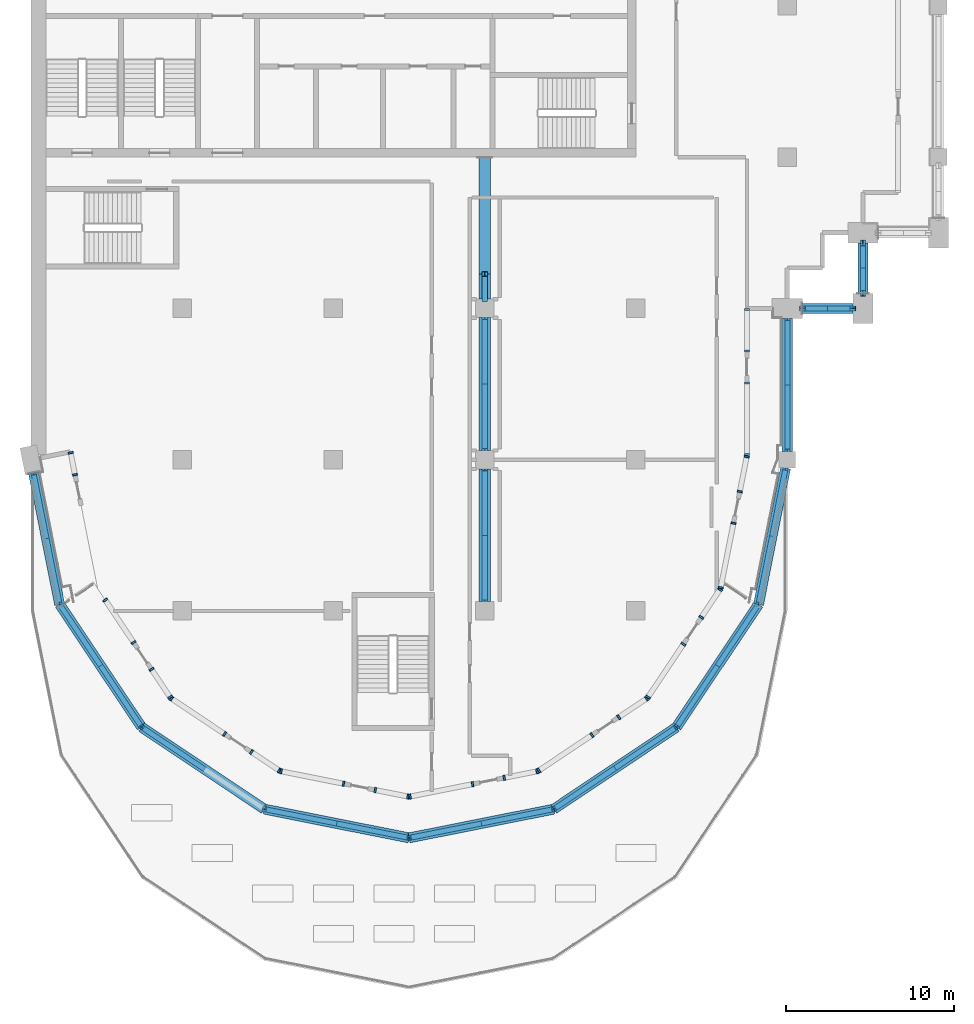
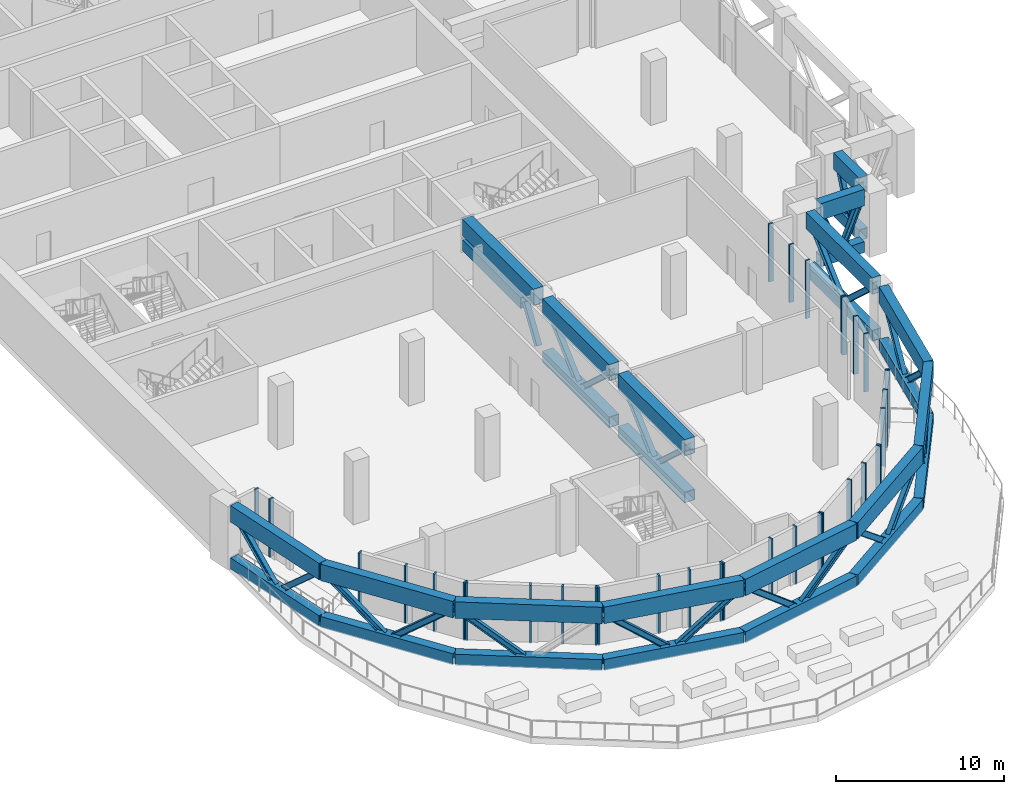
# One storey, part 2 of 16: 88 members.
"""IFC4 building model written with IfcOpenShell, lengths in metres."""

from ifc_helpers import new_model, si_unit, direction, frame, origin, origin_2d, place, context, subcontext, project, spatial, rectangle, hollow_rectangle, i_section, extrude, material, material_profile, profile_set, type_object, element, save


model = new_model("IFC4")

# Units and contexts
model_context = context("Model", 3, precision=1e-05, world=origin(), true_north=direction((0.0, 1.0)))
body_context = subcontext(model_context, "Body", "Model", "MODEL_VIEW")
ifc_project = project(units=[si_unit("LENGTHUNIT", "METRE"), si_unit("AREAUNIT", "SQUARE_METRE"), si_unit("VOLUMEUNIT", "CUBIC_METRE"), si_unit("PLANEANGLEUNIT", "RADIAN"), si_unit("MASSUNIT", "GRAM", prefix="KILO")], contexts=[model_context])

# Site, building, storey
site_placement = place(None, origin())
site = spatial("IfcSite", under=ifc_project, at=site_placement, CompositionType="ELEMENT")
building_placement = place(site_placement, origin())
building = spatial("IfcBuilding", under=site, at=building_placement, Name="Hunhe Ridgeline Campus", CompositionType="ELEMENT")
storey_placement = place(building_placement, frame((0.0, 0.0, 227.199951171875)))
storey = spatial("IfcBuildingStorey", under=building, at=storey_placement, Name="L58", CompositionType="ELEMENT", Elevation=227.199951171875)

# Members
ifc_material_1 = material(Name="Steel Q420", Category="steel")
ifc_material_profile_1 = material_profile(ifc_material_1, hollow_rectangle(XDim=0.60009765625, YDim=0.800048828125, WallThickness=0.031982421875, at=origin_2d()))
ifc_profile_set_1 = profile_set([ifc_material_profile_1], Name="Steel Q420")
member_type_1 = type_object("IfcMemberType", Name="Belt truss bottom chord Box 800x600x32 Steel Q420", PredefinedType="CHORD", material=ifc_profile_set_1)
member_1_placement = place(storey_placement, frame((0.156005859375, 44.21533203125, 0.400146484375), z_axis=(0.19509217561, -0.980784911699, 0.0), x_axis=(0.980784911699, 0.19509217561, 0.0)))
element("IfcMember", 1, at=member_1_placement, inside=storey, type_object=member_type_1, Name="Belt truss BT1 bottom chord L58 2", PredefinedType="CHORD", context=body_context, shape_type="SweptSolid", body=[
    extrude(hollow_rectangle(XDim=0.60009765625, YDim=0.800048828125, WallThickness=0.031982421875, at=origin_2d()), origin(), (0.0, 0.0, 1.0), 7.97900390625),
])
for number, where, z_axis, x_axis, name in (
    (2, (1.712646484375, 36.3896484375, 0.400146484375), (0.555572672849, -0.831467982056, 0.0), (0.831467982056, 0.555572672849, 0.0), "Belt truss BT1 bottom chord L58 6"),
    (3, (6.590087890625, 29.090087890625, 0.400146484375), (0.831467982056, -0.555572672849, 0.0), (0.555572672849, 0.831467982056, 0.0), "Belt truss BT1 bottom chord L58 10"),
    (4, (13.8896484375, 24.212646484375, 0.400146484375), (0.980786564756, -0.195083865027, 0.0), (0.195083865027, 0.980786564756, 0.0), "Belt truss BT1 bottom chord L58 14"),
    (5, (22.5, 22.5, 0.400146484375), (0.980786564756, 0.195083865027, 0.0), (-0.195083865027, 0.980786564756, 0.0), "Belt truss BT1 bottom chord L58 18"),
    (6, (31.1103515625, 24.212646484375, 0.400146484375), (0.831467982056, 0.555572672849, 0.0), (-0.555572672849, 0.831467982056, 0.0), "Belt truss BT1 bottom chord L58 22"),
    (7, (38.409912109375, 29.090087890625, 0.400146484375), (0.555572672849, 0.831467982056, 0.0), (-0.831467982056, 0.555572672849, 0.0), "Belt truss BT1 bottom chord L58 26"),
):
    element("IfcMember", number, at=place(storey_placement, frame(where, z_axis=z_axis, x_axis=x_axis)), inside=storey, type_object=member_type_1, Name=name, PredefinedType="CHORD", context=body_context, shape_type="SweptSolid", body=[
        extrude(hollow_rectangle(XDim=0.60009765625, YDim=0.800048828125, WallThickness=0.031982421875, at=origin_2d()), origin(), (0.0, 0.0, 1.0), 8.779052734375),
    ])
member_2_placement = place(storey_placement, frame((43.287353515625, 36.3896484375, 0.400146484375), z_axis=(0.195094046865, 0.980784539477, 0.0), x_axis=(-0.980784539477, 0.195094046865, 0.0)))
element("IfcMember", 8, at=member_2_placement, inside=storey, type_object=member_type_1, Name="Belt truss BT1 bottom chord L58 30", PredefinedType="CHORD", context=body_context, shape_type="SweptSolid", body=[
    extrude(hollow_rectangle(XDim=0.60009765625, YDim=0.800048828125, WallThickness=0.031982421875, at=origin_2d()), origin(), (0.0, 0.0, 1.0), 8.269287109375),
])
member_3_placement = place(storey_placement, frame((45.0, 45.5, 0.400146484375), z_axis=(0.0, 1.0, 0.0), x_axis=(-1.0, 0.0, 0.0)))
element("IfcMember", 9, at=member_3_placement, inside=storey, type_object=member_type_1, Name="Belt truss BT1 bottom chord L58 34", PredefinedType="CHORD", context=body_context, shape_type="SweptSolid", body=[
    extrude(hollow_rectangle(XDim=0.60009765625, YDim=0.800048828125, WallThickness=0.031982421875, at=origin_2d()), origin(), (0.0, 0.0, 1.0), 7.89990234375),
])
for number, where, z_axis, x_axis, name in (
    (10, (45.89990234375, 54.0, 0.400146484375), (1.0, 0.0, 0.0), (0.0, 1.0, 0.0), "Belt truss BT1 bottom chord L58 38"),
    (11, (49.5, 54.89990234375, 0.400146484375), (0.0, 1.0, 0.0), (-1.0, 0.0, 0.0), "Belt truss BT1 bottom chord L58 42"),
):
    element("IfcMember", number, at=place(storey_placement, frame(where, z_axis=z_axis, x_axis=x_axis)), inside=storey, type_object=member_type_1, Name=name, PredefinedType="CHORD", context=body_context, shape_type="SweptSolid", body=[
        extrude(hollow_rectangle(XDim=0.60009765625, YDim=0.800048828125, WallThickness=0.031982421875, at=origin_2d()), origin(), (0.0, 0.0, 1.0), 3.0),
    ])
ifc_material_profile_2 = material_profile(ifc_material_1, i_section(OverallWidth=0.300048828125, OverallDepth=0.389892578125, WebThickness=0.010009765625, FlangeThickness=0.01611328125, FilletRadius=0.012939453125, at=origin_2d()))
ifc_profile_set_2 = profile_set([ifc_material_profile_2], Name="Steel Q420")
member_type_2 = type_object("IfcMemberType", Name="Belt truss diagonal HM390x300x10x16 Steel Q420", PredefinedType="BRACE", material=ifc_profile_set_2)
for number, where, z_axis, x_axis, name in (
    (12, (0.156005859375, 44.21533203125, 4.0), (0.144842804881, -0.728166760926, -0.669920689453), (0.980784911699, 0.19509217561, 0.0), "Belt truss BT1 diagonal L58 3"),
    (13, (0.934326171875, 40.302490234375, 0.400146484375), (0.144842804881, -0.728166760926, 0.669920689453), (0.980784911699, 0.19509217561, 0.0), "Belt truss BT1 diagonal L58 4"),
):
    element("IfcMember", number, at=place(storey_placement, frame(where, z_axis=z_axis, x_axis=x_axis)), inside=storey, type_object=member_type_2, Name=name, PredefinedType="BRACE", context=body_context, shape_type="SweptSolid", body=[
        extrude(i_section(OverallWidth=0.300048828125, OverallDepth=0.389892578125, WebThickness=0.010009765625, FlangeThickness=0.01611328125, FilletRadius=0.012939453125, at=origin_2d()), origin(), (0.0, 0.0, 1.0), 5.37353515625),
    ])
member_4_placement = place(storey_placement, frame((1.712646484375, 36.3896484375, 4.0), z_axis=(0.429580712233, -0.642930388216, -0.634114285903), x_axis=(0.831476565381, 0.555559826862, 0.0)))
element("IfcMember", 14, at=member_4_placement, inside=storey, type_object=member_type_2, Name="Belt truss BT1 diagonal L58 7", PredefinedType="BRACE", context=body_context, shape_type="SweptSolid", body=[
    extrude(i_section(OverallWidth=0.300048828125, OverallDepth=0.389892578125, WebThickness=0.010009765625, FlangeThickness=0.01611328125, FilletRadius=0.012939453125, at=origin_2d()), origin(), (0.0, 0.0, 1.0), 5.677001953125),
])
for number, where, z_axis, x_axis, name in (
    (15, (4.1513671875, 32.73974609375, 0.400146484375), (0.429592590005, -0.642905158473, 0.634131818963), (0.831459398135, 0.555585519297, 0.0), "Belt truss BT1 diagonal L58 8"),
    (16, (6.590087890625, 29.090087890625, 4.0), (0.642905158473, -0.429592590005, -0.634131818963), (0.555585519297, 0.831459398135, 0.0), "Belt truss BT1 diagonal L58 11"),
    (17, (13.8896484375, 24.212646484375, 4.0), (0.758374784985, -0.150823430359, -0.634129307282), (0.195057113645, 0.980791885375, 0.0), "Belt truss BT1 diagonal L58 15"),
):
    element("IfcMember", number, at=place(storey_placement, frame(where, z_axis=z_axis, x_axis=x_axis)), inside=storey, type_object=member_type_2, Name=name, PredefinedType="BRACE", context=body_context, shape_type="SweptSolid", body=[
        extrude(i_section(OverallWidth=0.300048828125, OverallDepth=0.389892578125, WebThickness=0.010009765625, FlangeThickness=0.01611328125, FilletRadius=0.012939453125, at=origin_2d()), origin(), (0.0, 0.0, 1.0), 5.6767578125),
    ])
for number, where, z_axis, x_axis, name in (
    (18, (18.19482421875, 23.3564453125, 0.400146484375), (0.758369865231, -0.150865458049, 0.634125193537), (0.195110615974, 0.980781243466, 0.0), "Belt truss BT1 diagonal L58 16"),
    (19, (22.5, 22.5, 4.0), (0.758369865231, 0.150865458049, -0.634125193537), (-0.195110615974, 0.980781243466, 0.0), "Belt truss BT1 diagonal L58 19"),
):
    element("IfcMember", number, at=place(storey_placement, frame(where, z_axis=z_axis, x_axis=x_axis)), inside=storey, type_object=member_type_2, Name=name, PredefinedType="BRACE", context=body_context, shape_type="SweptSolid", body=[
        extrude(i_section(OverallWidth=0.300048828125, OverallDepth=0.389892578125, WebThickness=0.010009765625, FlangeThickness=0.01611328125, FilletRadius=0.012939453125, at=origin_2d()), origin(), (0.0, 0.0, 1.0), 5.677001953125),
    ])
member_5_placement = place(storey_placement, frame((26.80517578125, 23.3564453125, 0.400146484375), z_axis=(0.758374784985, 0.150823430359, 0.634129307282), x_axis=(-0.195057113645, 0.980791885375, 0.0)))
element("IfcMember", 20, at=member_5_placement, inside=storey, type_object=member_type_2, Name="Belt truss BT1 diagonal L58 20", PredefinedType="BRACE", context=body_context, shape_type="SweptSolid", body=[
    extrude(i_section(OverallWidth=0.300048828125, OverallDepth=0.389892578125, WebThickness=0.010009765625, FlangeThickness=0.01611328125, FilletRadius=0.012939453125, at=origin_2d()), origin(), (0.0, 0.0, 1.0), 5.6767578125),
])
member_6_placement = place(storey_placement, frame((31.1103515625, 24.212646484375, 4.0), z_axis=(0.642930388216, 0.429580712233, -0.634114285903), x_axis=(-0.555559826862, 0.831476565381, 0.0)))
element("IfcMember", 21, at=member_6_placement, inside=storey, type_object=member_type_2, Name="Belt truss BT1 diagonal L58 23", PredefinedType="BRACE", context=body_context, shape_type="SweptSolid", body=[
    extrude(i_section(OverallWidth=0.300048828125, OverallDepth=0.389892578125, WebThickness=0.010009765625, FlangeThickness=0.01611328125, FilletRadius=0.012939453125, at=origin_2d()), origin(), (0.0, 0.0, 1.0), 5.677001953125),
])
for number, where, z_axis, x_axis, name in (
    (22, (34.76025390625, 26.6513671875, 0.400146484375), (0.642905158473, 0.429592590005, 0.634131818963), (-0.555585519297, 0.831459398135, 0.0), "Belt truss BT1 diagonal L58 24"),
    (23, (38.409912109375, 29.090087890625, 4.0), (0.429592590005, 0.642905158473, -0.634131818963), (-0.831459398135, 0.555585519297, 0.0), "Belt truss BT1 diagonal L58 27"),
):
    element("IfcMember", number, at=place(storey_placement, frame(where, z_axis=z_axis, x_axis=x_axis)), inside=storey, type_object=member_type_2, Name=name, PredefinedType="BRACE", context=body_context, shape_type="SweptSolid", body=[
        extrude(i_section(OverallWidth=0.300048828125, OverallDepth=0.389892578125, WebThickness=0.010009765625, FlangeThickness=0.01611328125, FilletRadius=0.012939453125, at=origin_2d()), origin(), (0.0, 0.0, 1.0), 5.6767578125),
    ])
member_7_placement = place(storey_placement, frame((40.8486328125, 32.73974609375, 0.400146484375), z_axis=(0.429580712233, 0.642930388216, 0.634114285903), x_axis=(-0.831476565381, 0.555559826862, 0.0)))
element("IfcMember", 24, at=member_7_placement, inside=storey, type_object=member_type_2, Name="Belt truss BT1 diagonal L58 28", PredefinedType="BRACE", context=body_context, shape_type="SweptSolid", body=[
    extrude(i_section(OverallWidth=0.300048828125, OverallDepth=0.389892578125, WebThickness=0.010009765625, FlangeThickness=0.01611328125, FilletRadius=0.012939453125, at=origin_2d()), origin(), (0.0, 0.0, 1.0), 5.677001953125),
])
for number, where, z_axis, x_axis, name in (
    (25, (43.287353515625, 36.3896484375, 4.0), (0.147139230225, 0.739704181002, -0.656648895176), (-0.980784539477, 0.195094046865, 0.0), "Belt truss BT1 diagonal L58 31"),
    (26, (44.093994140625, 40.44482421875, 0.400146484375), (0.147139230225, 0.739704181002, 0.656648895176), (-0.980784539477, 0.195094046865, 0.0), "Belt truss BT1 diagonal L58 32"),
):
    element("IfcMember", number, at=place(storey_placement, frame(where, z_axis=z_axis, x_axis=x_axis)), inside=storey, type_object=member_type_2, Name=name, PredefinedType="BRACE", context=body_context, shape_type="SweptSolid", body=[
        extrude(i_section(OverallWidth=0.300048828125, OverallDepth=0.389892578125, WebThickness=0.010009765625, FlangeThickness=0.01611328125, FilletRadius=0.012939453125, at=origin_2d()), origin(), (0.0, 0.0, 1.0), 5.482177734375),
    ])
for number, where, z_axis, x_axis, name in (
    (27, (45.0, 45.5, 4.0), (0.0, 0.739102326519, -0.673593164257), (-1.0, 0.0, 0.0), "Belt truss BT1 diagonal L58 35"),
    (28, (45.0, 49.449951171875, 0.400146484375), (0.0, 0.739102326519, 0.673593164257), (-1.0, 0.0, 0.0), "Belt truss BT1 diagonal L58 36"),
):
    element("IfcMember", number, at=place(storey_placement, frame(where, z_axis=z_axis, x_axis=x_axis)), inside=storey, type_object=member_type_2, Name=name, PredefinedType="BRACE", context=body_context, shape_type="SweptSolid", body=[
        extrude(i_section(OverallWidth=0.300048828125, OverallDepth=0.389892578125, WebThickness=0.010009765625, FlangeThickness=0.01611328125, FilletRadius=0.012939453125, at=origin_2d()), origin(), (0.0, 0.0, 1.0), 5.34423828125),
    ])
for number, where, z_axis, x_axis, name in (
    (29, (45.89990234375, 54.0, 4.0), (0.384628719983, 0.0, -0.923071366561), (0.0, 1.0, 0.0), "Belt truss BT1 diagonal L58 39"),
    (30, (47.39990234375, 54.0, 0.400146484375), (0.384628719983, 0.0, 0.923071366561), (0.0, 1.0, 0.0), "Belt truss BT1 diagonal L58 40"),
    (31, (49.5, 54.89990234375, 4.0), (0.0, 0.384628719983, -0.923071366561), (-1.0, 0.0, 0.0), "Belt truss BT1 diagonal L58 43"),
    (32, (49.5, 56.39990234375, 0.400146484375), (0.0, 0.384628719983, 0.923071366561), (-1.0, 0.0, 0.0), "Belt truss BT1 diagonal L58 44"),
):
    element("IfcMember", number, at=place(storey_placement, frame(where, z_axis=z_axis, x_axis=x_axis)), inside=storey, type_object=member_type_2, Name=name, PredefinedType="BRACE", context=body_context, shape_type="SweptSolid", body=[
        extrude(i_section(OverallWidth=0.300048828125, OverallDepth=0.389892578125, WebThickness=0.010009765625, FlangeThickness=0.01611328125, FilletRadius=0.012939453125, at=origin_2d()), origin(), (0.0, 0.0, 1.0), 3.89990234375),
    ])
ifc_material_profile_3 = material_profile(ifc_material_1, hollow_rectangle(XDim=0.60009765625, YDim=1.199951171875, WallThickness=0.031982421875, at=origin_2d()))
ifc_profile_set_3 = profile_set([ifc_material_profile_3], Name="Steel Q420")
member_type_3 = type_object("IfcMemberType", Name="Belt truss top chord Box 1200x600x32 Steel Q420", PredefinedType="CHORD", material=ifc_profile_set_3)
member_8_placement = place(storey_placement, frame((0.156005859375, 44.21533203125, 4.0), z_axis=(0.19509217561, -0.980784911699, 0.0), x_axis=(0.980784911699, 0.19509217561, 0.0)))
element("IfcMember", 33, at=member_8_placement, inside=storey, type_object=member_type_3, Name="Belt truss BT1 top chord L58 1", PredefinedType="CHORD", context=body_context, shape_type="SweptSolid", body=[
    extrude(hollow_rectangle(XDim=0.60009765625, YDim=1.199951171875, WallThickness=0.031982421875, at=origin_2d()), origin(), (0.0, 0.0, 1.0), 7.97900390625),
])
for number, where, z_axis, x_axis, name in (
    (34, (1.712646484375, 36.3896484375, 4.0), (0.555572672849, -0.831467982056, 0.0), (0.831467982056, 0.555572672849, 0.0), "Belt truss BT1 top chord L58 5"),
    (35, (6.590087890625, 29.090087890625, 4.0), (0.831467982056, -0.555572672849, 0.0), (0.555572672849, 0.831467982056, 0.0), "Belt truss BT1 top chord L58 9"),
    (36, (13.8896484375, 24.212646484375, 4.0), (0.980786564756, -0.195083865027, 0.0), (0.195083865027, 0.980786564756, 0.0), "Belt truss BT1 top chord L58 13"),
    (37, (22.5, 22.5, 4.0), (0.980786564756, 0.195083865027, 0.0), (-0.195083865027, 0.980786564756, 0.0), "Belt truss BT1 top chord L58 17"),
    (38, (31.1103515625, 24.212646484375, 4.0), (0.831467982056, 0.555572672849, 0.0), (-0.555572672849, 0.831467982056, 0.0), "Belt truss BT1 top chord L58 21"),
    (39, (38.409912109375, 29.090087890625, 4.0), (0.555572672849, 0.831467982056, 0.0), (-0.831467982056, 0.555572672849, 0.0), "Belt truss BT1 top chord L58 25"),
):
    element("IfcMember", number, at=place(storey_placement, frame(where, z_axis=z_axis, x_axis=x_axis)), inside=storey, type_object=member_type_3, Name=name, PredefinedType="CHORD", context=body_context, shape_type="SweptSolid", body=[
        extrude(hollow_rectangle(XDim=0.60009765625, YDim=1.199951171875, WallThickness=0.031982421875, at=origin_2d()), origin(), (0.0, 0.0, 1.0), 8.779052734375),
    ])
member_9_placement = place(storey_placement, frame((43.287353515625, 36.3896484375, 4.0), z_axis=(0.195094046865, 0.980784539477, 0.0), x_axis=(-0.980784539477, 0.195094046865, 0.0)))
element("IfcMember", 40, at=member_9_placement, inside=storey, type_object=member_type_3, Name="Belt truss BT1 top chord L58 29", PredefinedType="CHORD", context=body_context, shape_type="SweptSolid", body=[
    extrude(hollow_rectangle(XDim=0.60009765625, YDim=1.199951171875, WallThickness=0.031982421875, at=origin_2d()), origin(), (0.0, 0.0, 1.0), 8.269287109375),
])
member_10_placement = place(storey_placement, frame((45.0, 45.5, 4.0), z_axis=(0.0, 1.0, 0.0), x_axis=(-1.0, 0.0, 0.0)))
element("IfcMember", 41, at=member_10_placement, inside=storey, type_object=member_type_3, Name="Belt truss BT1 top chord L58 33", PredefinedType="CHORD", context=body_context, shape_type="SweptSolid", body=[
    extrude(hollow_rectangle(XDim=0.60009765625, YDim=1.199951171875, WallThickness=0.031982421875, at=origin_2d()), origin(), (0.0, 0.0, 1.0), 7.89990234375),
])
for number, where, z_axis, x_axis, name in (
    (42, (45.89990234375, 54.0, 4.0), (1.0, 0.0, 0.0), (0.0, 1.0, 0.0), "Belt truss BT1 top chord L58 37"),
    (43, (49.5, 54.89990234375, 4.0), (0.0, 1.0, 0.0), (-1.0, 0.0, 0.0), "Belt truss BT1 top chord L58 41"),
):
    element("IfcMember", number, at=place(storey_placement, frame(where, z_axis=z_axis, x_axis=x_axis)), inside=storey, type_object=member_type_3, Name=name, PredefinedType="CHORD", context=body_context, shape_type="SweptSolid", body=[
        extrude(hollow_rectangle(XDim=0.60009765625, YDim=1.199951171875, WallThickness=0.031982421875, at=origin_2d()), origin(), (0.0, 0.0, 1.0), 3.0),
    ])
ifc_material_2 = material(Name="Aluminium 6063", Category="aluminium")
ifc_material_profile_4 = material_profile(ifc_material_2, rectangle(XDim=0.300048828125, YDim=0.1201171875, at=origin_2d()))
ifc_profile_set_4 = profile_set([ifc_material_profile_4], Name="Aluminium 6063")
member_type_4 = type_object("IfcMemberType", Name="Louvre frame jamb 120x300 Aluminium 6063", PredefinedType="USERDEFINED", material=ifc_profile_set_4)
for number, where, z_axis, x_axis, name in (
    (44, (2.366455078125, 45.409912109375, 0.0), (0.0, 0.0, 1.0), (0.980784211572, 0.195095695315, 0.0), "Louvre frame jamb 1a"),
    (45, (2.626220703125, 44.1044921875, 0.0), (0.0, 0.0, 1.0), (0.980784211572, 0.195095695315, 0.0), "Louvre frame jamb 1b"),
    (46, (4.42626953125, 36.650146484375, 0.0), (0.0, 0.0, 1.0), (0.831469528903, 0.555570357836, 0.0), "Louvre frame jamb 2a"),
    (47, (6.114501953125, 34.123779296875, 0.0), (0.0, 0.0, 1.0), (0.831469528903, 0.555570357836, 0.0), "Louvre frame jamb 2b"),
    (48, (7.18115234375, 32.52734375, 0.0), (0.0, 0.0, 1.0), (0.831469622629, 0.555570217564, 0.0), "Louvre frame jamb 3a"),
    (49, (8.287841796875, 30.87109375, 0.0), (0.0, 0.0, 1.0), (0.831469622629, 0.555570217564, 0.0), "Louvre frame jamb 3b"),
    (50, (8.37109375, 30.787841796875, 0.0), (0.0, 0.0, 1.0), (0.555570362959, 0.83146952548, 0.0), "Louvre frame jamb 4a"),
    (51, (11.52392578125, 28.68115234375, 0.0), (0.0, 0.0, 1.0), (0.555570362959, 0.83146952548, 0.0), "Louvre frame jamb 4b"),
    (52, (13.120361328125, 27.614501953125, 0.0), (0.0, 0.0, 1.0), (0.555570217564, 0.831469622629, 0.0), "Louvre frame jamb 5a"),
    (53, (14.776611328125, 26.5078125, 0.0), (0.0, 0.0, 1.0), (0.555570217564, 0.831469622629, 0.0), "Louvre frame jamb 5b"),
    (54, (14.88525390625, 26.462646484375, 0.0), (0.0, 0.0, 1.0), (0.195090470497, 0.980785250869, 0.0), "Louvre frame jamb 6a"),
    (55, (18.6044921875, 25.722900390625, 0.0), (0.0, 0.0, 1.0), (0.195090470497, 0.980785250869, 0.0), "Louvre frame jamb 6b"),
    (56, (20.487548828125, 25.348388671875, 0.0), (0.0, 0.0, 1.0), (0.195090359847, 0.980785272878, 0.0), "Louvre frame jamb 7a"),
    (57, (22.441162109375, 24.959716796875, 0.0), (0.0, 0.0, 1.0), (0.195090359847, 0.980785272878, 0.0), "Louvre frame jamb 7b"),
    (58, (22.558837890625, 24.959716796875, 0.0), (0.0, 0.0, 1.0), (-0.195090224598, 0.980785299781, 0.0), "Louvre frame jamb 8a"),
    (59, (26.27783203125, 25.699462890625, 0.0), (0.0, 0.0, 1.0), (-0.195090224598, 0.980785299781, 0.0), "Louvre frame jamb 8b"),
    (60, (28.1611328125, 26.073974609375, 0.0), (0.0, 0.0, 1.0), (-0.195090359847, 0.980785272878, 0.0), "Louvre frame jamb 9a"),
    (61, (30.11474609375, 26.462646484375, 0.0), (0.0, 0.0, 1.0), (-0.195090359847, 0.980785272878, 0.0), "Louvre frame jamb 9b"),
    (62, (30.223388671875, 26.5078125, 0.0), (0.0, 0.0, 1.0), (-0.555570186233, 0.831469643564, 0.0), "Louvre frame jamb 10a"),
    (63, (33.376220703125, 28.614501953125, 0.0), (0.0, 0.0, 1.0), (-0.555570186233, 0.831469643564, 0.0), "Louvre frame jamb 10b"),
    (64, (34.97265625, 29.68115234375, 0.0), (0.0, 0.0, 1.0), (-0.555570217564, 0.831469622629, 0.0), "Louvre frame jamb 11a"),
    (65, (36.62890625, 30.787841796875, 0.0), (0.0, 0.0, 1.0), (-0.555570217564, 0.831469622629, 0.0), "Louvre frame jamb 11b"),
    (66, (36.712158203125, 30.87109375, 0.0), (0.0, 0.0, 1.0), (-0.83146952548, 0.555570362959, 0.0), "Louvre frame jamb 12a"),
    (67, (38.81884765625, 34.02392578125, 0.0), (0.0, 0.0, 1.0), (-0.83146952548, 0.555570362959, 0.0), "Louvre frame jamb 12b"),
    (68, (39.885498046875, 35.620361328125, 0.0), (0.0, 0.0, 1.0), (-0.831469622629, 0.555570217564, 0.0), "Louvre frame jamb 13a"),
    (69, (40.9921875, 37.276611328125, 0.0), (0.0, 0.0, 1.0), (-0.831469622629, 0.555570217564, 0.0), "Louvre frame jamb 13b"),
    (70, (41.037353515625, 37.38525390625, 0.0), (0.0, 0.0, 1.0), (-0.980785308664, 0.195090179937, 0.0), "Louvre frame jamb 14a"),
    (71, (41.800537109375, 41.22265625, 0.0), (0.0, 0.0, 1.0), (-0.980785308664, 0.195090179937, 0.0), "Louvre frame jamb 14b"),
    (72, (42.175048828125, 43.105712890625, 0.0), (0.0, 0.0, 1.0), (-0.980785273328, 0.195090357587, 0.0), "Louvre frame jamb 15a"),
    (73, (42.58740234375, 45.177734375, 0.0), (0.0, 0.0, 1.0), (-0.980785273328, 0.195090357587, 0.0), "Louvre frame jamb 15b"),
    (74, (42.59912109375, 45.29638671875, 0.0), (0.0, 0.0, 1.0), (-0.999999999816, 1.9169161e-05, 0.0), "Louvre frame jamb 16a"),
    (75, (42.59912109375, 49.55859375, 0.0), (0.0, 0.0, 1.0), (-0.999999999816, 1.9169161e-05, 0.0), "Louvre frame jamb 16b"),
    (76, (42.59912109375, 51.478515625, 0.0), (0.0, 0.0, 1.0), (-0.999999999813, 1.9364533e-05, 0.0), "Louvre frame jamb 17a"),
    (77, (42.59912109375, 53.940673828125, 0.0), (0.0, 0.0, 1.0), (-0.999999999813, 1.9364533e-05, 0.0), "Louvre frame jamb 17b"),
):
    element("IfcMember", number, at=place(storey_placement, frame(where, z_axis=z_axis, x_axis=x_axis)), inside=storey, type_object=member_type_4, Name=name, ObjectType="LOUVRE FRAME", PredefinedType="USERDEFINED", context=body_context, shape_type="SweptSolid", body=[
        extrude(rectangle(XDim=0.300048828125, YDim=0.1201171875, at=origin_2d()), origin(), (0.0, 0.0, 1.0), 4.199951171875),
    ])
ifc_material_profile_5 = material_profile(ifc_material_1, hollow_rectangle(XDim=0.699951171875, YDim=0.800048828125, WallThickness=0.0400390625, at=origin_2d()))
ifc_profile_set_5 = profile_set([ifc_material_profile_5], Name="Steel Q420")
member_type_5 = type_object("IfcMemberType", Name="Outrigger truss bottom chord Box 800x700x40 Steel Q420", PredefinedType="CHORD", material=ifc_profile_set_5)
member_11_placement = place(storey_placement, frame((27.0, 63.0, 2.699951171875), z_axis=(0.0, -1.0, 0.0), x_axis=(1.0, 0.0, 0.0)))
element("IfcMember", 78, at=member_11_placement, inside=storey, type_object=member_type_5, Name="Outrigger truss OR2 bottom chord L58 2", PredefinedType="CHORD", context=body_context, shape_type="SweptSolid", body=[
    extrude(hollow_rectangle(XDim=0.699951171875, YDim=0.800048828125, WallThickness=0.0400390625, at=origin_2d()), origin(), (0.0, 0.0, 1.0), 6.949951171875),
])
for number, where, z_axis, x_axis, name in (
    (79, (27.0, 53.449951171875, 0.400146484375), (0.0, -1.0, 0.0), (1.0, 0.0, 0.0), "Outrigger truss OR2 bottom chord L58 5"),
    (80, (27.0, 44.449951171875, 0.400146484375), (0.0, -1.0, 0.0), (1.0, 0.0, 0.0), "Outrigger truss OR2 bottom chord L58 9"),
):
    element("IfcMember", number, at=place(storey_placement, frame(where, z_axis=z_axis, x_axis=x_axis)), inside=storey, type_object=member_type_5, Name=name, PredefinedType="CHORD", context=body_context, shape_type="SweptSolid", body=[
        extrude(hollow_rectangle(XDim=0.699951171875, YDim=0.800048828125, WallThickness=0.0400390625, at=origin_2d()), origin(), (0.0, 0.0, 1.0), 7.89990234375),
    ])
ifc_material_profile_6 = material_profile(ifc_material_1, i_section(OverallWidth=0.35009765625, OverallDepth=0.35009765625, WebThickness=0.011962890625, FlangeThickness=0.01904296875, FilletRadius=0.012939453125, at=origin_2d()))
ifc_profile_set_6 = profile_set([ifc_material_profile_6], Name="Steel Q420")
member_type_6 = type_object("IfcMemberType", Name="Outrigger truss diagonal HW350x350x12x19 Steel Q420", PredefinedType="BRACE", material=ifc_profile_set_6)
member_12_placement = place(storey_placement, frame((27.0, 56.050048828125, 2.699951171875), z_axis=(0.0, -0.546300327661, -0.837589369558), x_axis=(1.0, 0.0, 0.0)))
element("IfcMember", 81, at=member_12_placement, inside=storey, type_object=member_type_6, Name="Outrigger truss OR2 knee brace L58 3", PredefinedType="BRACE", context=body_context, shape_type="SweptSolid", body=[
    extrude(i_section(OverallWidth=0.35009765625, OverallDepth=0.35009765625, WebThickness=0.011962890625, FlangeThickness=0.01904296875, FilletRadius=0.012939453125, at=origin_2d()), origin(), (0.0, 0.0, 1.0), 2.745849609375),
])
for number, where, z_axis, x_axis, name in (
    (82, (27.0, 53.449951171875, 4.0), (0.0, -0.739102326519, -0.673593164257), (1.0, 0.0, 0.0), "Outrigger truss OR2 diagonal L58 6"),
    (83, (27.0, 49.5, 0.400146484375), (0.0, -0.739102326519, 0.673593164257), (1.0, 0.0, 0.0), "Outrigger truss OR2 diagonal L58 7"),
    (84, (27.0, 44.449951171875, 4.0), (0.0, -0.739102326519, -0.673593164257), (1.0, 0.0, 0.0), "Outrigger truss OR2 diagonal L58 10"),
    (85, (27.0, 40.5, 0.400146484375), (0.0, -0.739102326519, 0.673593164257), (1.0, 0.0, 0.0), "Outrigger truss OR2 diagonal L58 11"),
):
    element("IfcMember", number, at=place(storey_placement, frame(where, z_axis=z_axis, x_axis=x_axis)), inside=storey, type_object=member_type_6, Name=name, PredefinedType="BRACE", context=body_context, shape_type="SweptSolid", body=[
        extrude(i_section(OverallWidth=0.35009765625, OverallDepth=0.35009765625, WebThickness=0.011962890625, FlangeThickness=0.01904296875, FilletRadius=0.012939453125, at=origin_2d()), origin(), (0.0, 0.0, 1.0), 5.34423828125),
    ])
ifc_material_profile_7 = material_profile(ifc_material_1, hollow_rectangle(XDim=0.699951171875, YDim=1.199951171875, WallThickness=0.0400390625, at=origin_2d()))
ifc_profile_set_7 = profile_set([ifc_material_profile_7], Name="Steel Q420")
member_type_7 = type_object("IfcMemberType", Name="Outrigger truss top chord Box 1200x700x40 Steel Q420", PredefinedType="CHORD", material=ifc_profile_set_7)
member_13_placement = place(storey_placement, frame((27.0, 63.0, 4.0), z_axis=(0.0, -1.0, 0.0), x_axis=(1.0, 0.0, 0.0)))
element("IfcMember", 86, at=member_13_placement, inside=storey, type_object=member_type_7, Name="Outrigger truss OR2 top chord L58 1", PredefinedType="CHORD", context=body_context, shape_type="SweptSolid", body=[
    extrude(hollow_rectangle(XDim=0.699951171875, YDim=1.199951171875, WallThickness=0.0400390625, at=origin_2d()), origin(), (0.0, 0.0, 1.0), 8.449951171875),
])
for number, where, z_axis, x_axis, name in (
    (87, (27.0, 53.449951171875, 4.0), (0.0, -1.0, 0.0), (1.0, 0.0, 0.0), "Outrigger truss OR2 top chord L58 4"),
    (88, (27.0, 44.449951171875, 4.0), (0.0, -1.0, 0.0), (1.0, 0.0, 0.0), "Outrigger truss OR2 top chord L58 8"),
):
    element("IfcMember", number, at=place(storey_placement, frame(where, z_axis=z_axis, x_axis=x_axis)), inside=storey, type_object=member_type_7, Name=name, PredefinedType="CHORD", context=body_context, shape_type="SweptSolid", body=[
        extrude(hollow_rectangle(XDim=0.699951171875, YDim=1.199951171875, WallThickness=0.0400390625, at=origin_2d()), origin(), (0.0, 0.0, 1.0), 7.89990234375),
    ])

save(model, "model.ifc")
